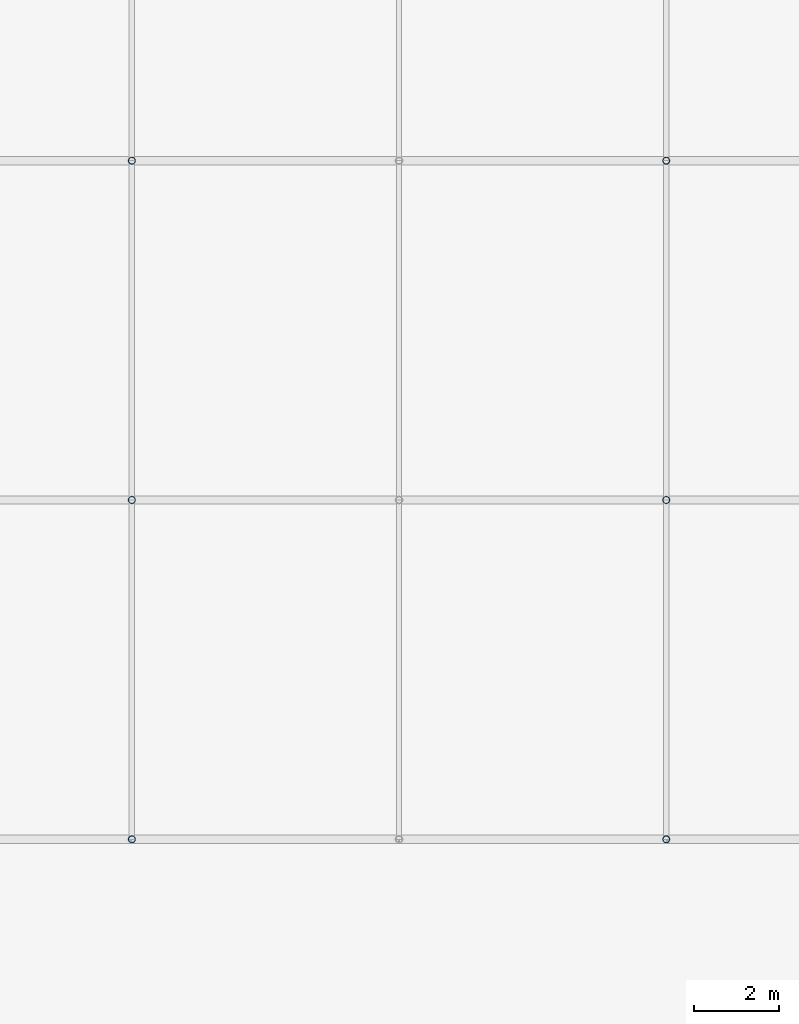
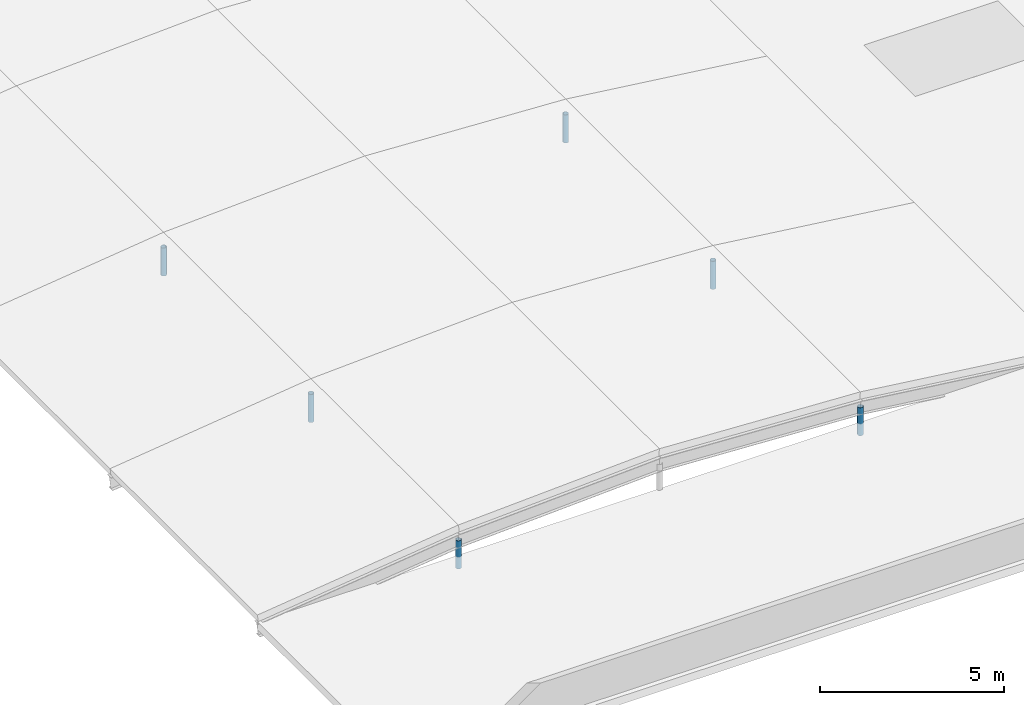
# One storey, part 42 of 76: 6 members.
"""IFC4 building model written with IfcOpenShell, lengths in metres."""

from ifc_helpers import new_model, si_unit, direction, frame, origin, origin_2d, place, context, subcontext, project, spatial, hollow_circle, extrude, material, material_profile, profile_set, type_object, element, save


model = new_model("IFC4")

# Units and contexts
model_context = context("Model", 3, precision=1e-05, world=origin(), true_north=direction((0.0, 1.0)))
body_context = subcontext(model_context, "Body", "Model", "MODEL_VIEW")
ifc_project = project(units=[si_unit("LENGTHUNIT", "METRE"), si_unit("AREAUNIT", "SQUARE_METRE"), si_unit("VOLUMEUNIT", "CUBIC_METRE"), si_unit("PLANEANGLEUNIT", "RADIAN"), si_unit("MASSUNIT", "GRAM", prefix="KILO")], contexts=[model_context])

# Site, building, storey
site_placement = place(None, origin())
site = spatial("IfcSite", under=ifc_project, at=site_placement, CompositionType="ELEMENT")
building_placement = place(site_placement, origin())
building = spatial("IfcBuilding", under=site, at=building_placement, Name="Naruveol Harbour Congress Hotel", CompositionType="ELEMENT")
storey_placement = place(building_placement, frame((0.0, 0.0, 11.39990234375)))
storey = spatial("IfcBuildingStorey", under=building, at=storey_placement, Name="L02", CompositionType="ELEMENT", Elevation=11.39990234375)

# Members
ifc_material = material(Name="Steel SN490", Category="steel")
ifc_material_profile = material_profile(ifc_material, hollow_circle(Radius=0.084228515625, WallThickness=0.008056640625, at=origin_2d()), Name="CHS-168.3x8")
ifc_profile_set = profile_set([ifc_material_profile], Name="Steel SN490")
member_type = type_object("IfcMemberType", Name="STEEL GABLE TRUSS WEB BRACE CHS168", PredefinedType="BRACE", material=ifc_profile_set)
for number, where, z_axis, x_axis, name in (
    (1, (6.300048828125, 72.0, -0.39990234375), (0.0, 0.0, 1.0), (1.0, 0.0, 0.0), "Spa vault quarter web post #1.6"),
    (2, (18.89990234375, 72.0, -0.39990234375), (0.0, 0.0, 1.0), (1.0, 0.0, 0.0), "Spa vault quarter web post #1.18"),
    (3, (6.300048828125, 80.0, -0.39990234375), (0.0, 0.0, 1.0), (1.0, 0.0, 0.0), "Spa vault quarter web post #2.6"),
    (4, (18.89990234375, 80.0, -0.39990234375), (0.0, 0.0, 1.0), (1.0, 0.0, 0.0), "Spa vault quarter web post #2.18"),
    (5, (6.300048828125, 88.0, -0.39990234375), (0.0, 0.0, 1.0), (1.0, 0.0, 0.0), "Spa vault quarter web post #3.6"),
    (6, (18.89990234375, 88.0, -0.39990234375), (0.0, 0.0, 1.0), (1.0, 0.0, 0.0), "Spa vault quarter web post #3.18"),
):
    element("IfcMember", number, at=place(storey_placement, frame(where, z_axis=z_axis, x_axis=x_axis)), inside=storey, type_object=member_type, Name=name, PredefinedType="BRACE", context=body_context, shape_type="SweptSolid", body=[
        extrude(hollow_circle(Radius=0.084228515625, WallThickness=0.008056640625, at=origin_2d()), origin(), (0.0, 0.0, 1.0), 0.929931640625),
    ])

save(model, "model.ifc")
